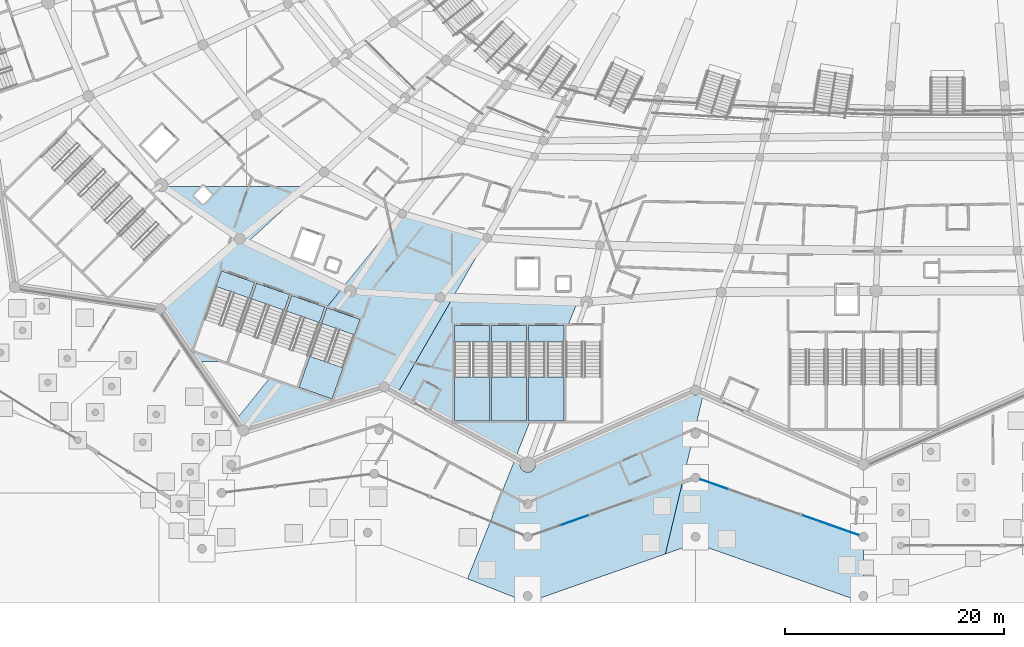
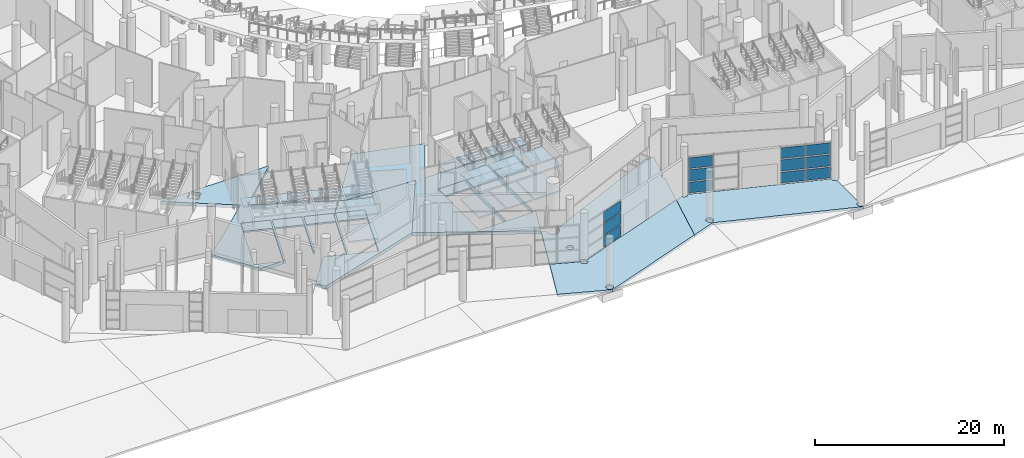
# One storey, part 72 of 255: 29 slabs, 12 plates, 10 elements without a shape of their own.
"""IFC4 building model written with IfcOpenShell, lengths in metres."""

from ifc_helpers import new_model, si_unit, direction, frame, origin, origin_2d, place, context, subcontext, project, spatial, polyline, rectangle, outline, extrude, material, layer, layer_set, type_object, element, aggregate, save


model = new_model("IFC4")

# Units and contexts
model_context = context("Model", 3, precision=1e-05, world=origin(), true_north=direction((0.0, 1.0)))
body_context = subcontext(model_context, "Body", "Model", "MODEL_VIEW")
ifc_project = project(units=[si_unit("LENGTHUNIT", "METRE"), si_unit("AREAUNIT", "SQUARE_METRE"), si_unit("VOLUMEUNIT", "CUBIC_METRE"), si_unit("PLANEANGLEUNIT", "RADIAN"), si_unit("MASSUNIT", "GRAM", prefix="KILO")], contexts=[model_context])

# Site, building, storey
site_placement = place(None, origin())
site = spatial("IfcSite", under=ifc_project, at=site_placement, CompositionType="ELEMENT")
building_placement = place(site_placement, origin())
building = spatial("IfcBuilding", under=site, at=building_placement, Name="Meseta Stadium", CompositionType="ELEMENT")
storey_placement = place(building_placement, origin())
storey = spatial("IfcBuildingStorey", under=building, at=storey_placement, Name="L00", CompositionType="ELEMENT", Elevation=0.0)

# Slabs
ifc_material_1 = material(Name="Concrete C40/50", Category="concrete")
ifc_layer_1 = layer(ifc_material_1, 0.39990234375)
ifc_layer_set_1 = layer_set([ifc_layer_1], Name="Floor slab 400")
slab_type_1 = type_object("IfcSlabType", Name="Floor slab 400", PredefinedType="FLOOR", material=ifc_layer_set_1)
slab_1_placement = place(storey_placement, frame((0.0, 0.0, -0.39990234375)))
element("IfcSlab", 1, at=slab_1_placement, inside=storey, type_object=slab_type_1, Name="Floor slab L00 sector 35 panel 14", PredefinedType="FLOOR", context=body_context, shape_type="SweptSolid", body=[
    extrude(outline(polyline([(-67.114501953125, -80.802001953125), (-67.963134765625, -81.650390625), (-68.811767578125, -80.802001953125), (-68.009765625, -80.0), (-71.61328125, -80.0), (-64.6220703125, -84.79248046875), (-71.856689453125, -91.15087890625), (-68.56640625, -96.0), (-65.9267578125, -96.0), (-68.837890625, -94.981201171875), (-66.294921875, -87.71337890625), (-63.2744140625, -88.770263671875), (-65.80419921875, -96.0), (-65.59228515625, -96.0), (-63.085693359375, -88.836181640625), (-60.065185546875, -89.893310546875), (-62.201904296875, -96.0), (-61.990234375, -96.0), (-59.87646484375, -89.959228515625), (-56.85595703125, -91.01611328125), (-56.9921875, -91.40576171875), (-55.242919921875, -89.238037109375), (-63.932373046875, -85.119384765625), (-58.33984375, -80.0), (-67.91650390625, -80.0), (-67.114501953125, -80.802001953125)])), origin(), (0.0, 0.0, 1.0), 0.39990234375),
])
slab_2_placement = place(storey_placement, frame((0.0, 0.0, -0.39990234375)))
element("IfcSlab", 2, at=slab_2_placement, inside=storey, type_object=slab_type_1, Name="Floor slab L00 sector 42 panel 01", PredefinedType="FLOOR", context=body_context, shape_type="SweptSolid", body=[
    extrude(outline(polyline([(-59.399169921875, -98.2841796875), (-61.8310546875, -97.43310546875), (-64.961669921875, -101.312255859375), (-64.297607421875, -102.291015625), (-51.44140625, -98.29443359375), (-46.333251953125, -90.126220703125), (-54.523193359375, -89.579345703125), (-55.224365234375, -89.246826171875), (-57.011962890625, -91.4619140625), (-59.399169921875, -98.2841796875)]), holes=[polyline([(-56.667236328125, -91.082275390625), (-53.646728515625, -92.13916015625), (-56.18994140625, -99.406982421875), (-59.21044921875, -98.35009765625), (-56.667236328125, -91.082275390625)])]), origin(), (0.0, 0.0, 1.0), 0.39990234375),
])
slab_3_placement = place(storey_placement, frame((0.0, 0.0, -0.39990234375)))
element("IfcSlab", 3, at=slab_3_placement, inside=storey, type_object=slab_type_1, Name="Floor slab L00 sector 42 panel 02", PredefinedType="FLOOR", context=body_context, shape_type="SweptSolid", body=[
    extrude(outline(polyline([(-55.224365234375, -89.246826171875), (-54.523193359375, -89.579345703125), (-46.333251953125, -90.126220703125), (-51.44140625, -98.29443359375), (-50.244384765625, -98.943359375), (-42.015380859375, -84.707275390625), (-49.78076171875, -82.501708984375), (-55.224365234375, -89.246826171875)])), origin(), (0.0, 0.0, 1.0), 0.39990234375),
])
slab_4_placement = place(storey_placement, frame((0.0, 0.0, -0.39990234375)))
element("IfcSlab", 4, at=slab_4_placement, inside=storey, type_object=slab_type_1, Name="Floor slab L00 sector 42 panel 03", PredefinedType="FLOOR", context=body_context, shape_type="SweptSolid", body=[
    extrude(outline(polyline([(-45.169189453125, -90.1630859375), (-50.244384765625, -98.943359375), (-39.443603515625, -104.798095703125), (-38.09521484375, -101.39990234375), (-38.2333984375, -101.39990234375), (-38.2333984375, -92.699951171875), (-35.033203125, -92.699951171875), (-35.033203125, -93.683837890625), (-34.833251953125, -93.179931640625), (-34.833251953125, -92.699951171875), (-34.642822265625, -92.699951171875), (-33.779541015625, -90.524658203125), (-45.169189453125, -90.1630859375)]), holes=[polyline([(-45.033203125, -92.699951171875), (-41.833251953125, -92.699951171875), (-41.833251953125, -101.39990234375), (-45.033203125, -101.39990234375), (-45.033203125, -92.699951171875)]), polyline([(-41.63330078125, -92.699951171875), (-38.433349609375, -92.699951171875), (-38.433349609375, -101.39990234375), (-41.63330078125, -101.39990234375), (-41.63330078125, -92.699951171875)])]), origin(), (0.0, 0.0, 1.0), 0.39990234375),
])
ifc_material_2 = material(Name="Concrete C40/50", Category="concrete")
ifc_layer_2 = layer(ifc_material_2, 0.300048828125)
ifc_layer_set_2 = layer_set([ifc_layer_2], Name="Passage paving slab 300")
slab_type_2 = type_object("IfcSlabType", Name="Passage paving slab 300", PredefinedType="FLOOR", material=ifc_layer_set_2)
slab_5_placement = place(storey_placement, frame((0.0, 0.0, -0.300048828125)))
element("IfcSlab", 5, at=slab_5_placement, inside=storey, type_object=slab_type_2, Name="Covered passage paving 6 panel 03", PredefinedType="FLOOR", context=body_context, shape_type="SweptSolid", body=[
    extrude(outline(polyline([(-43.822509765625, -115.8330078125), (-38.333251953125, -118.0), (-25.7548828125, -113.5703125), (-24.195556640625, -107.02099609375), (-37.95556640625, -111.866943359375), (-37.943603515625, -111.8955078125), (-37.929931640625, -112.0), (-37.943603515625, -112.1044921875), (-37.98388671875, -112.20166015625), (-38.048095703125, -112.285400390625), (-38.131591796875, -112.349365234375), (-38.22900390625, -112.3896484375), (-38.333251953125, -112.403564453125), (-38.437744140625, -112.3896484375), (-38.53515625, -112.349365234375), (-38.61865234375, -112.285400390625), (-38.6826171875, -112.20166015625), (-38.722900390625, -112.1044921875), (-38.73681640625, -112.0), (-38.722900390625, -111.8955078125), (-38.703369140625, -111.847900390625), (-41.7451171875, -110.59765625), (-43.822509765625, -115.8330078125)]), holes=[polyline([(-38.333251953125, -117.803466796875), (-38.437744140625, -117.789794921875), (-38.53515625, -117.74951171875), (-38.61865234375, -117.685302734375), (-38.6826171875, -117.601806640625), (-38.722900390625, -117.50439453125), (-38.73681640625, -117.39990234375), (-38.722900390625, -117.295654296875), (-38.6826171875, -117.1982421875), (-38.61865234375, -117.11474609375), (-38.53515625, -117.050537109375), (-38.437744140625, -117.01025390625), (-38.333251953125, -116.99658203125), (-38.22900390625, -117.01025390625), (-38.131591796875, -117.050537109375), (-38.048095703125, -117.11474609375), (-37.98388671875, -117.1982421875), (-37.943603515625, -117.295654296875), (-37.929931640625, -117.39990234375), (-37.943603515625, -117.50439453125), (-37.98388671875, -117.601806640625), (-38.048095703125, -117.685302734375), (-38.131591796875, -117.74951171875), (-38.22900390625, -117.789794921875), (-38.333251953125, -117.803466796875)])]), origin(), (0.0, 0.0, 1.0), 0.300048828125),
])
slab_6_placement = place(storey_placement, frame((0.0, 0.0, -0.300048828125)))
element("IfcSlab", 6, at=slab_6_placement, inside=storey, type_object=slab_type_2, Name="Covered passage paving 6 panel 04", PredefinedType="FLOOR", context=body_context, shape_type="SweptSolid", body=[
    extrude(outline(polyline([(-23.377685546875, -106.733154296875), (-24.195556640625, -107.02099609375), (-25.7548828125, -113.5703125), (-23.0, -112.60009765625), (-7.666748046875, -118.0), (-7.666748046875, -117.803466796875), (-7.77099609375, -117.789794921875), (-7.868408203125, -117.74951171875), (-7.951904296875, -117.685302734375), (-8.01611328125, -117.601806640625), (-8.056396484375, -117.50439453125), (-8.070068359375, -117.39990234375), (-8.056396484375, -117.295654296875), (-8.01611328125, -117.1982421875), (-7.951904296875, -117.11474609375), (-7.868408203125, -117.050537109375), (-7.77099609375, -117.01025390625), (-7.666748046875, -116.99658203125), (-7.666748046875, -112.403564453125), (-7.77099609375, -112.3896484375), (-7.868408203125, -112.349365234375), (-7.951904296875, -112.285400390625), (-8.01611328125, -112.20166015625), (-8.056396484375, -112.1044921875), (-8.070068359375, -112.0), (-8.056396484375, -111.8955078125), (-8.04443359375, -111.866943359375), (-22.622314453125, -106.733154296875), (-22.650634765625, -106.8017578125), (-22.714599609375, -106.88525390625), (-22.79833984375, -106.949462890625), (-22.8955078125, -106.98974609375), (-23.0, -107.00341796875), (-23.1044921875, -106.98974609375), (-23.20166015625, -106.949462890625), (-23.285400390625, -106.88525390625), (-23.349365234375, -106.8017578125), (-23.377685546875, -106.733154296875)]), holes=[polyline([(-22.79833984375, -112.349365234375), (-22.8955078125, -112.3896484375), (-23.0, -112.403564453125), (-23.1044921875, -112.3896484375), (-23.20166015625, -112.349365234375), (-23.285400390625, -112.285400390625), (-23.349365234375, -112.20166015625), (-23.3896484375, -112.1044921875), (-23.403564453125, -112.0), (-23.3896484375, -111.8955078125), (-23.349365234375, -111.79833984375), (-23.285400390625, -111.714599609375), (-23.20166015625, -111.650634765625), (-23.1044921875, -111.6103515625), (-23.0, -111.596435546875), (-22.8955078125, -111.6103515625), (-22.79833984375, -111.650634765625), (-22.714599609375, -111.714599609375), (-22.650634765625, -111.79833984375), (-22.6103515625, -111.8955078125), (-22.596435546875, -112.0), (-22.6103515625, -112.1044921875), (-22.650634765625, -112.20166015625), (-22.714599609375, -112.285400390625), (-22.79833984375, -112.349365234375)])]), origin(), (0.0, 0.0, 1.0), 0.300048828125),
])

# Curtain wall, plates
ifc_material_3 = material(Name="Aluminium", Category="aluminium")
ifc_layer_3 = layer(ifc_material_3, 0.199951171875)
ifc_layer_set_3 = layer_set([ifc_layer_3], Name="Ring shopfront curtain wall")
curtain_wall_type = type_object("IfcCurtainWallType", Name="Ring shopfront curtain wall", PredefinedType="NOTDEFINED", material=ifc_layer_set_3)
curtain_wall_1_placement = place(storey_placement, origin())
curtain_wall_1 = element("IfcCurtainWall", 7, at=curtain_wall_1_placement, inside=storey, type_object=curtain_wall_type, Name="Shopfront glazing F44a", PredefinedType="NOTDEFINED")
ifc_material_4 = material(Name="Glass", Category="glass")
ifc_layer_4 = layer(ifc_material_4, 0.035888671875)
ifc_layer_set_4 = layer_set([ifc_layer_4], Name="Ring CW glass panel 36")
plate_type = type_object("IfcPlateType", Name="Ring CW glass panel 36", PredefinedType="CURTAIN_PANEL", material=ifc_layer_set_4)
plate_1_placement = place(storey_placement, frame((-34.059326171875, -110.494873046875, 0.150146484375), z_axis=(0.0, 0.0, 1.0), x_axis=(0.94321953488, 0.332170000181, 0.0)))
plate_1 = element("IfcPlate", 8, at=plate_1_placement, type_object=plate_type, Name="CWR1 panel 2.1", PredefinedType="CURTAIN_PANEL", context=body_context, shape_type="SweptSolid", body=[
    extrude(rectangle(XDim=2.674072265625, YDim=0.035888671875, at=origin_2d()), origin(), (0.0, 0.0, 1.0), 1.3916015625),
])
plate_2_placement = place(storey_placement, frame((-34.059326171875, -110.494873046875, 1.69189453125), z_axis=(0.0, 0.0, 1.0), x_axis=(0.94321953488, 0.332170000181, 0.0)))
plate_2 = element("IfcPlate", 9, at=plate_2_placement, type_object=plate_type, Name="CWR1 panel 2.2", PredefinedType="CURTAIN_PANEL", context=body_context, shape_type="SweptSolid", body=[
    extrude(rectangle(XDim=2.674072265625, YDim=0.035888671875, at=origin_2d()), origin(), (0.0, 0.0, 1.0), 1.466552734375),
])
plate_3_placement = place(storey_placement, frame((-34.059326171875, -110.494873046875, 3.308349609375), z_axis=(0.0, 0.0, 1.0), x_axis=(0.94321953488, 0.332170000181, 0.0)))
plate_3 = element("IfcPlate", 10, at=plate_3_placement, type_object=plate_type, Name="CWR1 panel 2.3", PredefinedType="CURTAIN_PANEL", context=body_context, shape_type="SweptSolid", body=[
    extrude(rectangle(XDim=2.674072265625, YDim=0.035888671875, at=origin_2d()), origin(), (0.0, 0.0, 1.0), 1.3916015625),
])
aggregate(curtain_wall_1, [plate_1, plate_2, plate_3])

curtain_wall_2_placement = place(storey_placement, origin())
curtain_wall_2 = element("IfcCurtainWall", 11, at=curtain_wall_2_placement, inside=storey, type_object=curtain_wall_type, Name="Shopfront glazing F45a", PredefinedType="NOTDEFINED")
plate_4_placement = place(storey_placement, frame((-21.304931640625, -107.197021484375, 0.150146484375), z_axis=(0.0, 0.0, 1.0), x_axis=(0.94321953488, -0.332170000181, 0.0)))
plate_4 = element("IfcPlate", 12, at=plate_4_placement, type_object=plate_type, Name="CWR1 panel 1.1", PredefinedType="CURTAIN_PANEL", context=body_context, shape_type="SweptSolid", body=[
    extrude(rectangle(XDim=2.674072265625, YDim=0.035888671875, at=origin_2d()), origin(), (0.0, 0.0, 1.0), 1.3916015625),
])
plate_5_placement = place(storey_placement, frame((-21.304931640625, -107.197021484375, 1.69189453125), z_axis=(0.0, 0.0, 1.0), x_axis=(0.94321953488, -0.332170000181, 0.0)))
plate_5 = element("IfcPlate", 13, at=plate_5_placement, type_object=plate_type, Name="CWR1 panel 1.2", PredefinedType="CURTAIN_PANEL", context=body_context, shape_type="SweptSolid", body=[
    extrude(rectangle(XDim=2.674072265625, YDim=0.035888671875, at=origin_2d()), origin(), (0.0, 0.0, 1.0), 1.466552734375),
])
plate_6_placement = place(storey_placement, frame((-21.304931640625, -107.197021484375, 3.308349609375), z_axis=(0.0, 0.0, 1.0), x_axis=(0.94321953488, -0.332170000181, 0.0)))
plate_6 = element("IfcPlate", 14, at=plate_6_placement, type_object=plate_type, Name="CWR1 panel 1.3", PredefinedType="CURTAIN_PANEL", context=body_context, shape_type="SweptSolid", body=[
    extrude(rectangle(XDim=2.674072265625, YDim=0.035888671875, at=origin_2d()), origin(), (0.0, 0.0, 1.0), 1.3916015625),
])
aggregate(curtain_wall_2, [plate_4, plate_5, plate_6])

curtain_wall_3_placement = place(storey_placement, origin())
curtain_wall_3 = element("IfcCurtainWall", 15, at=curtain_wall_3_placement, inside=storey, type_object=curtain_wall_type, Name="Shopfront glazing F45b", PredefinedType="NOTDEFINED")
plate_7_placement = place(storey_placement, frame((-11.940673828125, -110.494873046875, 0.150146484375), z_axis=(0.0, 0.0, 1.0), x_axis=(0.94321953488, -0.332170000181, 0.0)))
plate_7 = element("IfcPlate", 16, at=plate_7_placement, type_object=plate_type, Name="CWR1 panel 1.1", PredefinedType="CURTAIN_PANEL", context=body_context, shape_type="SweptSolid", body=[
    extrude(rectangle(XDim=2.674072265625, YDim=0.035888671875, at=origin_2d()), origin(), (0.0, 0.0, 1.0), 1.3916015625),
])
plate_8_placement = place(storey_placement, frame((-11.940673828125, -110.494873046875, 1.69189453125), z_axis=(0.0, 0.0, 1.0), x_axis=(0.94321953488, -0.332170000181, 0.0)))
plate_8 = element("IfcPlate", 17, at=plate_8_placement, type_object=plate_type, Name="CWR1 panel 1.2", PredefinedType="CURTAIN_PANEL", context=body_context, shape_type="SweptSolid", body=[
    extrude(rectangle(XDim=2.674072265625, YDim=0.035888671875, at=origin_2d()), origin(), (0.0, 0.0, 1.0), 1.466552734375),
])
plate_9_placement = place(storey_placement, frame((-11.940673828125, -110.494873046875, 3.308349609375), z_axis=(0.0, 0.0, 1.0), x_axis=(0.94321953488, -0.332170000181, 0.0)))
plate_9 = element("IfcPlate", 18, at=plate_9_placement, type_object=plate_type, Name="CWR1 panel 1.3", PredefinedType="CURTAIN_PANEL", context=body_context, shape_type="SweptSolid", body=[
    extrude(rectangle(XDim=2.674072265625, YDim=0.035888671875, at=origin_2d()), origin(), (0.0, 0.0, 1.0), 1.3916015625),
])
plate_10_placement = place(storey_placement, frame((-9.36181640625, -111.403076171875, 0.150146484375), z_axis=(0.0, 0.0, 1.0), x_axis=(0.94321953488, -0.332170000181, 0.0)))
plate_10 = element("IfcPlate", 19, at=plate_10_placement, type_object=plate_type, Name="CWR1 panel 2.1", PredefinedType="CURTAIN_PANEL", context=body_context, shape_type="SweptSolid", body=[
    extrude(rectangle(XDim=2.674072265625, YDim=0.035888671875, at=origin_2d()), origin(), (0.0, 0.0, 1.0), 1.3916015625),
])
plate_11_placement = place(storey_placement, frame((-9.36181640625, -111.403076171875, 1.69189453125), z_axis=(0.0, 0.0, 1.0), x_axis=(0.94321953488, -0.332170000181, 0.0)))
plate_11 = element("IfcPlate", 20, at=plate_11_placement, type_object=plate_type, Name="CWR1 panel 2.2", PredefinedType="CURTAIN_PANEL", context=body_context, shape_type="SweptSolid", body=[
    extrude(rectangle(XDim=2.674072265625, YDim=0.035888671875, at=origin_2d()), origin(), (0.0, 0.0, 1.0), 1.466552734375),
])
plate_12_placement = place(storey_placement, frame((-9.36181640625, -111.403076171875, 3.308349609375), z_axis=(0.0, 0.0, 1.0), x_axis=(0.94321953488, -0.332170000181, 0.0)))
plate_12 = element("IfcPlate", 21, at=plate_12_placement, type_object=plate_type, Name="CWR1 panel 2.3", PredefinedType="CURTAIN_PANEL", context=body_context, shape_type="SweptSolid", body=[
    extrude(rectangle(XDim=2.674072265625, YDim=0.035888671875, at=origin_2d()), origin(), (0.0, 0.0, 1.0), 1.3916015625),
])
aggregate(curtain_wall_3, [plate_7, plate_8, plate_9, plate_10, plate_11, plate_12])

# Slab
ifc_material_5 = material(Name="Concrete C30/37", Category="concrete")
ifc_layer_5 = layer(ifc_material_5, 0.300048828125)
ifc_layer_set_5 = layer_set([ifc_layer_5], Name="Ring grade slab 300")
slab_type_3 = type_object("IfcSlabType", Name="Ring grade slab 300", PredefinedType="BASESLAB", material=ifc_layer_set_5)
slab_7_placement = place(storey_placement, frame((0.0, 0.0, -0.300048828125)))
element("IfcSlab", 22, at=slab_7_placement, inside=storey, type_object=slab_type_3, Name="Ring ground floor slab 6 panel 03", PredefinedType="BASESLAB", context=body_context, shape_type="SweptSolid", body=[
    extrude(outline(polyline([(-37.98388671875, -111.79833984375), (-37.95556640625, -111.866943359375), (-24.195556640625, -107.02099609375), (-23.222412109375, -102.93359375), (-23.285400390625, -102.88525390625), (-23.349365234375, -102.8017578125), (-23.3896484375, -102.704345703125), (-23.403564453125, -102.60009765625), (-23.3896484375, -102.49560546875), (-23.349365234375, -102.398193359375), (-23.285400390625, -102.314697265625), (-23.20166015625, -102.25048828125), (-23.1044921875, -102.210205078125), (-23.04833984375, -102.202880859375), (-22.302978515625, -99.072998046875), (-22.670654296875, -98.91015625), (-22.67919921875, -98.9208984375), (-22.773193359375, -98.9931640625), (-22.882568359375, -99.038330078125), (-23.0, -99.053955078125), (-23.117431640625, -99.038330078125), (-23.226806640625, -98.9931640625), (-23.32080078125, -98.9208984375), (-23.329345703125, -98.91015625), (-37.645751953125, -105.25927734375), (-37.627197265625, -105.39990234375), (-37.6513671875, -105.582763671875), (-37.721923828125, -105.7529296875), (-37.833984375, -105.899169921875), (-37.980224609375, -106.011474609375), (-38.150634765625, -106.08203125), (-38.333251953125, -106.10595703125), (-38.51611328125, -106.08203125), (-38.686279296875, -106.011474609375), (-38.83251953125, -105.899169921875), (-38.94482421875, -105.7529296875), (-39.015380859375, -105.582763671875), (-39.039306640625, -105.39990234375), (-39.015380859375, -105.21728515625), (-39.009765625, -105.203857421875), (-39.49951171875, -104.9384765625), (-41.7451171875, -110.59765625), (-38.703369140625, -111.847900390625), (-38.6826171875, -111.79833984375), (-38.61865234375, -111.714599609375), (-38.53515625, -111.650634765625), (-38.437744140625, -111.6103515625), (-38.333251953125, -111.596435546875), (-38.22900390625, -111.6103515625), (-38.131591796875, -111.650634765625), (-38.048095703125, -111.714599609375), (-37.98388671875, -111.79833984375)]), holes=[polyline([(-38.437744140625, -109.3896484375), (-38.53515625, -109.349365234375), (-38.61865234375, -109.285400390625), (-38.6826171875, -109.20166015625), (-38.722900390625, -109.1044921875), (-38.73681640625, -109.0), (-38.722900390625, -108.8955078125), (-38.6826171875, -108.79833984375), (-38.61865234375, -108.714599609375), (-38.53515625, -108.650634765625), (-38.437744140625, -108.6103515625), (-38.333251953125, -108.596435546875), (-38.22900390625, -108.6103515625), (-38.131591796875, -108.650634765625), (-38.048095703125, -108.714599609375), (-37.98388671875, -108.79833984375), (-37.943603515625, -108.8955078125), (-37.929931640625, -109.0), (-37.943603515625, -109.1044921875), (-37.98388671875, -109.20166015625), (-38.048095703125, -109.285400390625), (-38.131591796875, -109.349365234375), (-38.22900390625, -109.3896484375), (-38.333251953125, -109.403564453125), (-38.437744140625, -109.3896484375)])]), origin(), (0.0, 0.0, 1.0), 0.300048828125),
])

# Stair, slabs
ifc_material_6 = material(Name="Concrete C40/50", Category="concrete")
stair_type = type_object("IfcStairType", Name="Exit stair 4 flights 148 mm risers", PredefinedType="HALF_TURN_STAIR", material=ifc_material_6)
stair_1_placement = place(storey_placement, origin())
stair_1 = element("IfcStair", 23, at=stair_1_placement, inside=storey, type_object=stair_type, Name="ST85 L00", PredefinedType="HALF_TURN_STAIR")
ifc_material_7 = material(Name="Concrete C40/50", Category="concrete")
ifc_layer_6 = layer(ifc_material_7, 0.199951171875)
ifc_layer_set_6 = layer_set([ifc_layer_6], Name="Stair landing 200")
slab_type_4 = type_object("IfcSlabType", Name="Stair landing 200", PredefinedType="LANDING", material=ifc_layer_set_6)
slab_8_placement = place(storey_placement, frame((0.0, 0.0, 3.050048828125)))
slab_8 = element("IfcSlab", 24, at=slab_8_placement, type_object=slab_type_4, Name="ST85 L00 landing 2", PredefinedType="LANDING", context=body_context, shape_type="SweptSolid", body=[
    extrude(outline(polyline([(-66.294921875, -87.71337890625), (-66.79345703125, -89.138671875), (-63.773193359375, -90.195556640625), (-63.2744140625, -88.770263671875), (-66.294921875, -87.71337890625)])), origin(), (0.0, 0.0, 1.0), 0.199951171875),
])
slab_9_placement = place(storey_placement, frame((0.0, 0.0, -0.199951171875)))
slab_9 = element("IfcSlab", 25, at=slab_9_placement, type_object=slab_type_4, Name="ST85 L00 landing 4", PredefinedType="LANDING", context=body_context, shape_type="SweptSolid", body=[
    extrude(outline(polyline([(-66.294921875, -87.71337890625), (-66.79345703125, -89.138671875), (-63.773193359375, -90.195556640625), (-63.2744140625, -88.770263671875), (-66.294921875, -87.71337890625)])), origin(), (0.0, 0.0, 1.0), 0.199951171875),
])
aggregate(stair_1, [slab_8, slab_9])

stair_2_placement = place(storey_placement, origin())
stair_2 = element("IfcStair", 26, at=stair_2_placement, inside=storey, type_object=stair_type, Name="ST86 L00", PredefinedType="HALF_TURN_STAIR")
slab_10_placement = place(storey_placement, frame((0.0, 0.0, 3.050048828125)))
slab_10 = element("IfcSlab", 27, at=slab_10_placement, type_object=slab_type_4, Name="ST86 L00 landing 2", PredefinedType="LANDING", context=body_context, shape_type="SweptSolid", body=[
    extrude(outline(polyline([(-63.085693359375, -88.83642578125), (-63.584228515625, -90.26171875), (-60.56396484375, -91.318603515625), (-60.065185546875, -89.893310546875), (-63.085693359375, -88.83642578125)])), origin(), (0.0, 0.0, 1.0), 0.199951171875),
])
slab_11_placement = place(storey_placement, frame((0.0, 0.0, -0.199951171875)))
slab_11 = element("IfcSlab", 28, at=slab_11_placement, type_object=slab_type_4, Name="ST86 L00 landing 4", PredefinedType="LANDING", context=body_context, shape_type="SweptSolid", body=[
    extrude(outline(polyline([(-63.085693359375, -88.83642578125), (-63.584228515625, -90.26171875), (-60.56396484375, -91.318603515625), (-60.065185546875, -89.893310546875), (-63.085693359375, -88.83642578125)])), origin(), (0.0, 0.0, 1.0), 0.199951171875),
])
aggregate(stair_2, [slab_10, slab_11])

stair_3_placement = place(storey_placement, origin())
stair_3 = element("IfcStair", 29, at=stair_3_placement, inside=storey, type_object=stair_type, Name="ST87 L00", PredefinedType="HALF_TURN_STAIR")
slab_12_placement = place(storey_placement, frame((0.0, 0.0, 3.050048828125)))
slab_12 = element("IfcSlab", 30, at=slab_12_placement, type_object=slab_type_4, Name="ST87 L00 landing 2", PredefinedType="LANDING", context=body_context, shape_type="SweptSolid", body=[
    extrude(outline(polyline([(-59.87646484375, -89.959228515625), (-60.375244140625, -91.384521484375), (-57.354736328125, -92.44140625), (-56.85595703125, -91.01611328125), (-59.87646484375, -89.959228515625)])), origin(), (0.0, 0.0, 1.0), 0.199951171875),
])
slab_13_placement = place(storey_placement, frame((0.0, 0.0, -0.199951171875)))
slab_13 = element("IfcSlab", 31, at=slab_13_placement, type_object=slab_type_4, Name="ST87 L00 landing 4", PredefinedType="LANDING", context=body_context, shape_type="SweptSolid", body=[
    extrude(outline(polyline([(-59.87646484375, -89.959228515625), (-60.375244140625, -91.384521484375), (-57.354736328125, -92.44140625), (-56.85595703125, -91.01611328125), (-59.87646484375, -89.959228515625)])), origin(), (0.0, 0.0, 1.0), 0.199951171875),
])
aggregate(stair_3, [slab_12, slab_13])

stair_4_placement = place(storey_placement, origin())
stair_4 = element("IfcStair", 32, at=stair_4_placement, inside=storey, type_object=stair_type, Name="ST88 L00", PredefinedType="HALF_TURN_STAIR")
slab_14_placement = place(storey_placement, frame((0.0, 0.0, 1.425048828125)))
slab_14 = element("IfcSlab", 33, at=slab_14_placement, type_object=slab_type_4, Name="ST88 L00 landing 1", PredefinedType="LANDING", context=body_context, shape_type="SweptSolid", body=[
    extrude(outline(polyline([(-58.21630859375, -95.509033203125), (-59.21044921875, -98.35009765625), (-56.18994140625, -99.406982421875), (-55.19580078125, -96.56591796875), (-58.21630859375, -95.509033203125)])), origin(), (0.0, 0.0, 1.0), 0.199951171875),
])
slab_15_placement = place(storey_placement, frame((0.0, 0.0, 3.050048828125)))
slab_15 = element("IfcSlab", 34, at=slab_15_placement, type_object=slab_type_4, Name="ST88 L00 landing 2", PredefinedType="LANDING", context=body_context, shape_type="SweptSolid", body=[
    extrude(outline(polyline([(-56.667236328125, -91.082275390625), (-57.166015625, -92.507568359375), (-54.1455078125, -93.564453125), (-53.646728515625, -92.13916015625), (-56.667236328125, -91.082275390625)])), origin(), (0.0, 0.0, 1.0), 0.199951171875),
])
slab_16_placement = place(storey_placement, frame((0.0, 0.0, 4.675048828125)))
slab_16 = element("IfcSlab", 35, at=slab_16_placement, type_object=slab_type_4, Name="ST88 L00 landing 3", PredefinedType="LANDING", context=body_context, shape_type="SweptSolid", body=[
    extrude(outline(polyline([(-58.21630859375, -95.509033203125), (-59.21044921875, -98.35009765625), (-56.18994140625, -99.406982421875), (-55.19580078125, -96.56591796875), (-58.21630859375, -95.509033203125)])), origin(), (0.0, 0.0, 1.0), 0.199951171875),
])
slab_17_placement = place(storey_placement, frame((0.0, 0.0, -0.199951171875)))
slab_17 = element("IfcSlab", 36, at=slab_17_placement, type_object=slab_type_4, Name="ST88 L00 landing 4", PredefinedType="LANDING", context=body_context, shape_type="SweptSolid", body=[
    extrude(outline(polyline([(-56.667236328125, -91.082275390625), (-57.166015625, -92.507568359375), (-54.1455078125, -93.564453125), (-53.646728515625, -92.13916015625), (-56.667236328125, -91.082275390625)])), origin(), (0.0, 0.0, 1.0), 0.199951171875),
])
aggregate(stair_4, [slab_14, slab_15, slab_16, slab_17])

stair_5_placement = place(storey_placement, origin())
stair_5 = element("IfcStair", 37, at=stair_5_placement, inside=storey, type_object=stair_type, Name="ST89 L00", PredefinedType="HALF_TURN_STAIR")
slab_18_placement = place(storey_placement, frame((0.0, 0.0, 1.425048828125)))
slab_18 = element("IfcSlab", 38, at=slab_18_placement, type_object=slab_type_4, Name="ST89 L00 landing 1", PredefinedType="LANDING", context=body_context, shape_type="SweptSolid", body=[
    extrude(outline(polyline([(-45.033447265625, -97.389892578125), (-45.033447265625, -101.39990234375), (-41.833251953125, -101.39990234375), (-41.833251953125, -97.389892578125), (-45.033447265625, -97.389892578125)])), origin(), (0.0, 0.0, 1.0), 0.199951171875),
])
slab_19_placement = place(storey_placement, frame((0.0, 0.0, 3.050048828125)))
slab_19 = element("IfcSlab", 39, at=slab_19_placement, type_object=slab_type_4, Name="ST89 L00 landing 2", PredefinedType="LANDING", context=body_context, shape_type="SweptSolid", body=[
    extrude(outline(polyline([(-45.033447265625, -92.699951171875), (-45.033447265625, -94.2099609375), (-41.833251953125, -94.2099609375), (-41.833251953125, -92.699951171875), (-45.033447265625, -92.699951171875)])), origin(), (0.0, 0.0, 1.0), 0.199951171875),
])
slab_20_placement = place(storey_placement, frame((0.0, 0.0, 4.675048828125)))
slab_20 = element("IfcSlab", 40, at=slab_20_placement, type_object=slab_type_4, Name="ST89 L00 landing 3", PredefinedType="LANDING", context=body_context, shape_type="SweptSolid", body=[
    extrude(outline(polyline([(-45.033447265625, -97.389892578125), (-45.033447265625, -101.39990234375), (-41.833251953125, -101.39990234375), (-41.833251953125, -97.389892578125), (-45.033447265625, -97.389892578125)])), origin(), (0.0, 0.0, 1.0), 0.199951171875),
])
slab_21_placement = place(storey_placement, frame((0.0, 0.0, -0.199951171875)))
slab_21 = element("IfcSlab", 41, at=slab_21_placement, type_object=slab_type_4, Name="ST89 L00 landing 4", PredefinedType="LANDING", context=body_context, shape_type="SweptSolid", body=[
    extrude(outline(polyline([(-45.033447265625, -92.699951171875), (-45.033447265625, -94.2099609375), (-41.833251953125, -94.2099609375), (-41.833251953125, -92.699951171875), (-45.033447265625, -92.699951171875)])), origin(), (0.0, 0.0, 1.0), 0.199951171875),
])
aggregate(stair_5, [slab_18, slab_19, slab_20, slab_21])

stair_6_placement = place(storey_placement, origin())
stair_6 = element("IfcStair", 42, at=stair_6_placement, inside=storey, type_object=stair_type, Name="ST90 L00", PredefinedType="HALF_TURN_STAIR")
slab_22_placement = place(storey_placement, frame((0.0, 0.0, 1.425048828125)))
slab_22 = element("IfcSlab", 43, at=slab_22_placement, type_object=slab_type_4, Name="ST90 L00 landing 1", PredefinedType="LANDING", context=body_context, shape_type="SweptSolid", body=[
    extrude(outline(polyline([(-41.63330078125, -97.389892578125), (-41.63330078125, -101.39990234375), (-38.433349609375, -101.39990234375), (-38.433349609375, -97.389892578125), (-41.63330078125, -97.389892578125)])), origin(), (0.0, 0.0, 1.0), 0.199951171875),
])
slab_23_placement = place(storey_placement, frame((0.0, 0.0, 3.050048828125)))
slab_23 = element("IfcSlab", 44, at=slab_23_placement, type_object=slab_type_4, Name="ST90 L00 landing 2", PredefinedType="LANDING", context=body_context, shape_type="SweptSolid", body=[
    extrude(outline(polyline([(-41.63330078125, -92.699951171875), (-41.63330078125, -94.2099609375), (-38.433349609375, -94.2099609375), (-38.433349609375, -92.699951171875), (-41.63330078125, -92.699951171875)])), origin(), (0.0, 0.0, 1.0), 0.199951171875),
])
slab_24_placement = place(storey_placement, frame((0.0, 0.0, 4.675048828125)))
slab_24 = element("IfcSlab", 45, at=slab_24_placement, type_object=slab_type_4, Name="ST90 L00 landing 3", PredefinedType="LANDING", context=body_context, shape_type="SweptSolid", body=[
    extrude(outline(polyline([(-41.63330078125, -97.389892578125), (-41.63330078125, -101.39990234375), (-38.433349609375, -101.39990234375), (-38.433349609375, -97.389892578125), (-41.63330078125, -97.389892578125)])), origin(), (0.0, 0.0, 1.0), 0.199951171875),
])
slab_25_placement = place(storey_placement, frame((0.0, 0.0, -0.199951171875)))
slab_25 = element("IfcSlab", 46, at=slab_25_placement, type_object=slab_type_4, Name="ST90 L00 landing 4", PredefinedType="LANDING", context=body_context, shape_type="SweptSolid", body=[
    extrude(outline(polyline([(-41.63330078125, -92.699951171875), (-41.63330078125, -94.2099609375), (-38.433349609375, -94.2099609375), (-38.433349609375, -92.699951171875), (-41.63330078125, -92.699951171875)])), origin(), (0.0, 0.0, 1.0), 0.199951171875),
])
aggregate(stair_6, [slab_22, slab_23, slab_24, slab_25])

stair_7_placement = place(storey_placement, origin())
stair_7 = element("IfcStair", 47, at=stair_7_placement, inside=storey, type_object=stair_type, Name="ST91 L00", PredefinedType="HALF_TURN_STAIR")
slab_26_placement = place(storey_placement, frame((0.0, 0.0, 1.425048828125)))
slab_26 = element("IfcSlab", 48, at=slab_26_placement, type_object=slab_type_4, Name="ST91 L00 landing 1", PredefinedType="LANDING", context=body_context, shape_type="SweptSolid", body=[
    extrude(outline(polyline([(-38.2333984375, -97.389892578125), (-38.2333984375, -101.39990234375), (-35.033447265625, -101.39990234375), (-35.033447265625, -97.389892578125), (-38.2333984375, -97.389892578125)])), origin(), (0.0, 0.0, 1.0), 0.199951171875),
])
slab_27_placement = place(storey_placement, frame((0.0, 0.0, 3.050048828125)))
slab_27 = element("IfcSlab", 49, at=slab_27_placement, type_object=slab_type_4, Name="ST91 L00 landing 2", PredefinedType="LANDING", context=body_context, shape_type="SweptSolid", body=[
    extrude(outline(polyline([(-38.2333984375, -92.699951171875), (-38.2333984375, -94.2099609375), (-35.033447265625, -94.2099609375), (-35.033447265625, -92.699951171875), (-38.2333984375, -92.699951171875)])), origin(), (0.0, 0.0, 1.0), 0.199951171875),
])
slab_28_placement = place(storey_placement, frame((0.0, 0.0, 4.675048828125)))
slab_28 = element("IfcSlab", 50, at=slab_28_placement, type_object=slab_type_4, Name="ST91 L00 landing 3", PredefinedType="LANDING", context=body_context, shape_type="SweptSolid", body=[
    extrude(outline(polyline([(-38.2333984375, -97.389892578125), (-38.2333984375, -101.39990234375), (-35.033447265625, -101.39990234375), (-35.033447265625, -97.389892578125), (-38.2333984375, -97.389892578125)])), origin(), (0.0, 0.0, 1.0), 0.199951171875),
])
slab_29_placement = place(storey_placement, frame((0.0, 0.0, -0.199951171875)))
slab_29 = element("IfcSlab", 51, at=slab_29_placement, type_object=slab_type_4, Name="ST91 L00 landing 4", PredefinedType="LANDING", context=body_context, shape_type="SweptSolid", body=[
    extrude(outline(polyline([(-38.2333984375, -92.699951171875), (-38.2333984375, -94.2099609375), (-35.033447265625, -94.2099609375), (-35.033447265625, -92.699951171875), (-38.2333984375, -92.699951171875)])), origin(), (0.0, 0.0, 1.0), 0.199951171875),
])
aggregate(stair_7, [slab_26, slab_27, slab_28, slab_29])

save(model, "model.ifc")
